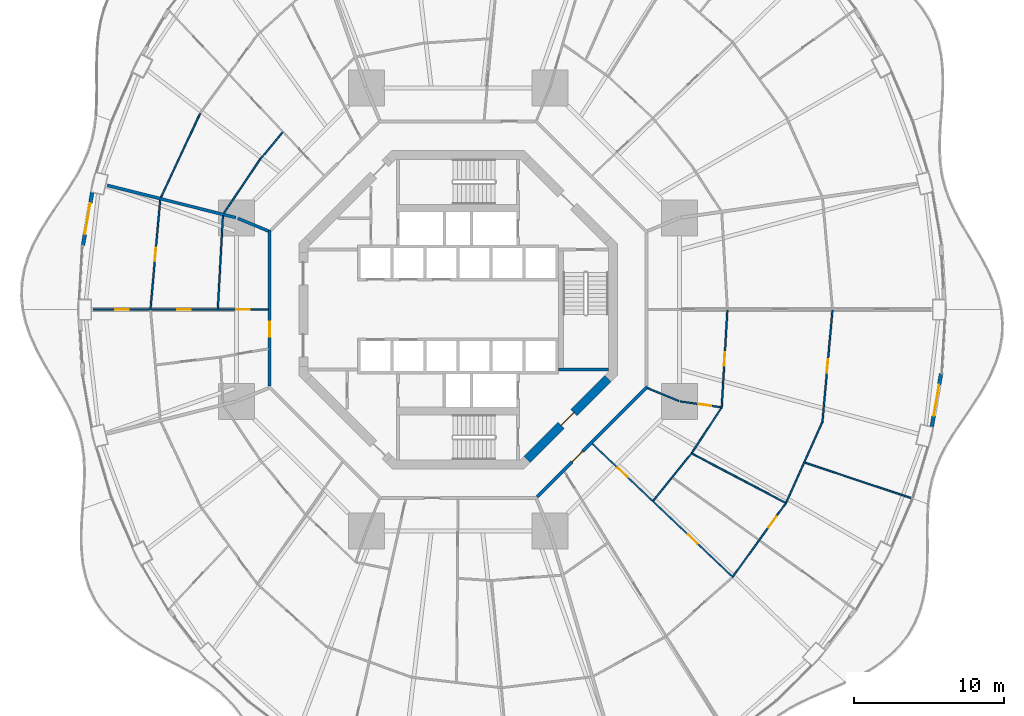
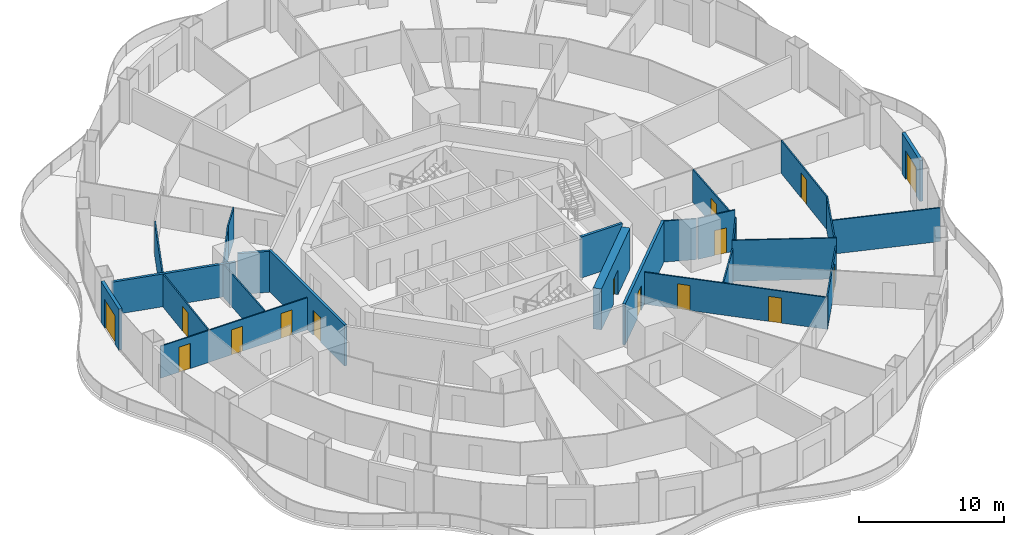
# One storey, part 16 of 23: 25 walls, 15 doors, 15 openings.
"""IFC4 building model written with IfcOpenShell, lengths in metres."""

from ifc_helpers import new_model, si_unit, direction, frame, frame_2d, origin, place, context, subcontext, project, spatial, polyline, rectangle, outline, extrude, material, layer, layer_set, type_object, element, fill, save


model = new_model("IFC4")

# Units and contexts
model_context = context("Model", 3, precision=1e-05, world=origin(), true_north=direction((0.0, 1.0)))
body_context = subcontext(model_context, "Body", "Model", "MODEL_VIEW")
ifc_project = project(units=[si_unit("LENGTHUNIT", "METRE"), si_unit("AREAUNIT", "SQUARE_METRE"), si_unit("VOLUMEUNIT", "CUBIC_METRE"), si_unit("PLANEANGLEUNIT", "RADIAN"), si_unit("MASSUNIT", "GRAM", prefix="KILO")], contexts=[model_context])

# Site, building, storey
site_placement = place(None, origin())
site = spatial("IfcSite", under=ifc_project, at=site_placement, CompositionType="ELEMENT")
building_placement = place(site_placement, origin())
building = spatial("IfcBuilding", under=site, at=building_placement, Name="Nagisa Residences", CompositionType="ELEMENT")
storey_placement = place(building_placement, frame((0.0, 0.0, 56.60009765625)))
storey = spatial("IfcBuildingStorey", under=building, at=storey_placement, Name="L13", CompositionType="ELEMENT", Elevation=56.60009765625)

# Walls
ifc_material_1 = material(Name="Gypsum board on steel studs", Category="steel")
ifc_layer_1 = layer(ifc_material_1, 0.199951171875)
ifc_layer_set_1 = layer_set([ifc_layer_1], Name="Apartment compartment wall EI60 200")
wall_type_1 = type_object("IfcWallType", Name="Apartment compartment wall EI60 200", PredefinedType="PARTITIONING", material=ifc_layer_set_1)
wall_1_placement = place(storey_placement, frame((-12.6572265625, 5.24267578125, 0.0), z_axis=(0.0, 0.0, 1.0), x_axis=(-0.923885664896, 0.382668627144, 0.0)))
element("IfcWall", 1, at=wall_1_placement, inside=storey, type_object=wall_type_1, Name="wall:L13:u04", PredefinedType="PARTITIONING", context=body_context, shape_type="SweptSolid", body=[
    extrude(rectangle(XDim=2.200439453125, YDim=0.199951171875, at=frame_2d((1.10009765625, 0.0))), origin(), (0.0, 0.0, 1.0), 3.43994140625),
])
wall_2_placement = place(storey_placement, frame((-14.83056640625, 6.135009765625, 0.0), z_axis=(0.0, 0.0, 1.0), x_axis=(-0.969884949569, 0.243563512454, 0.0)))
element("IfcWall", 2, at=wall_2_placement, inside=storey, type_object=wall_type_1, Name="wall:L13:u05", PredefinedType="PARTITIONING", context=body_context, shape_type="SweptSolid", body=[
    extrude(rectangle(XDim=8.828857421875, YDim=0.199951171875, at=frame_2d((4.41455078125, 0.0))), origin(), (0.0, 0.0, 1.0), 2.755859375),
])

# Wall, opening, door
ifc_material_2 = material(Name="Gypsum board on steel studs", Category="steel")
ifc_layer_2 = layer(ifc_material_2, 0.199951171875)
ifc_layer_set_2 = layer_set([ifc_layer_2], Name="Apartment entry wall EI60 200")
wall_type_2 = type_object("IfcWallType", Name="Apartment entry wall EI60 200", PredefinedType="PARTITIONING", material=ifc_layer_set_2)
wall_3_placement = place(storey_placement, frame((-12.564697265625, 5.304443359375, 0.0), z_axis=(0.0, 0.0, 1.0), x_axis=(0.0, -1.0, 0.0)))
wall_3 = element("IfcWall", 3, at=wall_3_placement, inside=storey, type_object=wall_type_2, Name="wall:L13:u14", PredefinedType="PARTITIONING", context=body_context, shape_type="SweptSolid", body=[
    extrude(rectangle(XDim=10.408935546875, YDim=0.199951171875, at=frame_2d((5.20458984375, 0.0))), origin(), (0.0, 0.0, 1.0), 3.43994140625),
])
opening_1_placement = place(wall_3_placement, frame((6.105712890625, 0.0, 0.0)))
opening_1 = element("IfcOpeningElement", 4, at=opening_1_placement, cuts=wall_3, Name="Opening L13-U08", PredefinedType="OPENING", context=body_context, shape_type="SweptSolid", body=[
    extrude(rectangle(XDim=1.0, YDim=2.10009765625, at=frame_2d((0.5, 1.050048828125))), frame((0.0, 0.10986328125, 0.0), z_axis=(0.0, -1.0, 0.0), x_axis=(1.0, 0.0, 0.0)), (0.0, 0.0, 1.0), 0.219970703125),
])
ifc_material_3 = material(Name="Timber fire door set", Category="wood")
door_type_1 = type_object("IfcDoorType", Name="Apartment entry door FD30S 1000x2100", OperationType="NOTDEFINED", PredefinedType="DOOR", material=ifc_material_3)
door_1_placement = place(opening_1_placement, frame((1.0, 0.0, 0.0), x_axis=(-1.0, 0.0, 0.0)))
door_1 = element("IfcDoor", 5, at=door_1_placement, inside=storey, type_object=door_type_1, Name="Entry door, Apartment 13B", OperationType="SINGLE_SWING_LEFT", OverallHeight=2.10009765625, OverallWidth=1.0, PredefinedType="DOOR", context=body_context, shape_type="SweptSolid", body=[
    extrude(rectangle(XDim=1.0, YDim=2.10009765625, at=frame_2d((0.5, 1.050048828125))), frame((0.0, 0.02490234375, 0.0), z_axis=(0.0, -1.0, 0.0), x_axis=(1.0, 0.0, 0.0)), (0.0, 0.0, 1.0), 0.050048828125),
])
fill(opening_1, door_1)

wall_4_placement = place(storey_placement, frame((5.275146484375, -12.494140625, 0.0), z_axis=(0.0, 0.0, 1.0), x_axis=(0.707106781187, 0.707106781187, 0.0)))
wall_4 = element("IfcWall", 6, at=wall_4_placement, inside=storey, type_object=wall_type_2, Name="wall:L13:u17", PredefinedType="PARTITIONING", context=body_context, shape_type="SweptSolid", body=[
    extrude(rectangle(XDim=10.4091796875, YDim=0.199951171875, at=frame_2d((5.20458984375, 0.0))), origin(), (0.0, 0.0, 1.0), 3.43994140625),
])
opening_2_placement = place(wall_4_placement, frame((3.303466796875, 0.0, 0.0)))
opening_2 = element("IfcOpeningElement", 7, at=opening_2_placement, cuts=wall_4, Name="Opening L13-U28", PredefinedType="OPENING", context=body_context, shape_type="SweptSolid", body=[
    extrude(rectangle(XDim=1.0, YDim=2.10009765625, at=frame_2d((0.5, 1.050048828125))), frame((0.0, 0.10986328125, 0.0), z_axis=(0.0, -1.0, 0.0), x_axis=(1.0, 0.0, 0.0)), (0.0, 0.0, 1.0), 0.219970703125),
])
door_2_placement = place(opening_2_placement, frame((1.0, 0.0, 0.0), x_axis=(-1.0, 0.0, 0.0)))
door_2 = element("IfcDoor", 8, at=door_2_placement, inside=storey, type_object=door_type_1, Name="Entry door, Apartment 13D", OperationType="SINGLE_SWING_LEFT", OverallHeight=2.10009765625, OverallWidth=1.0, PredefinedType="DOOR", context=body_context, shape_type="SweptSolid", body=[
    extrude(rectangle(XDim=1.0, YDim=2.10009765625, at=frame_2d((0.5, 1.050048828125))), frame((0.0, 0.02490234375, 0.0), z_axis=(0.0, -1.0, 0.0), x_axis=(1.0, 0.0, 0.0)), (0.0, 0.0, 1.0), 0.050048828125),
])
fill(opening_2, door_2)

ifc_material_4 = material(Name="Gypsum board on steel studs", Category="steel")
ifc_layer_3 = layer(ifc_material_4, 0.10009765625)
ifc_layer_set_3 = layer_set([ifc_layer_3], Name="Apartment partition 100")
wall_type_3 = type_object("IfcWallType", Name="Apartment partition 100", PredefinedType="PARTITIONING", material=ifc_layer_set_3)
wall_5_placement = place(storey_placement, frame((17.971435546875, -0.0498046875, 0.0), z_axis=(0.0, 0.0, 1.0), x_axis=(-0.058476853647, -0.998288764631, 0.0)))
wall_5 = element("IfcWall", 9, at=wall_5_placement, inside=storey, type_object=wall_type_3, Name="wall:L13:u20", PredefinedType="PARTITIONING", context=body_context, shape_type="SweptSolid", body=[
    extrude(rectangle(XDim=6.5380859375, YDim=0.10009765625, at=frame_2d((3.26904296875, 0.0))), origin(), (0.0, 0.0, 1.0), 2.755859375),
])
opening_3_placement = place(wall_5_placement, frame((2.7939453125, 0.0, 0.0)))
opening_3 = element("IfcOpeningElement", 10, at=opening_3_placement, cuts=wall_5, Name="Opening L13-U35", PredefinedType="OPENING", context=body_context, shape_type="SweptSolid", body=[
    extrude(rectangle(XDim=0.89990234375, YDim=2.10009765625, at=frame_2d((0.449951171875, 1.050048828125))), frame((0.0, 0.06005859375, 0.0), z_axis=(0.0, -1.0, 0.0), x_axis=(1.0, 0.0, 0.0)), (0.0, 0.0, 1.0), 0.1201171875),
])
ifc_material_5 = material(Name="Timber door set", Category="wood")
door_type_2 = type_object("IfcDoorType", Name="Apartment door 900x2100", OperationType="NOTDEFINED", PredefinedType="DOOR", material=ifc_material_5)
door_3_placement = place(opening_3_placement, origin())
door_3 = element("IfcDoor", 11, at=door_3_placement, inside=storey, type_object=door_type_2, Name="Door to dining room, Apartment 13D", OperationType="SINGLE_SWING_LEFT", OverallHeight=2.10009765625, OverallWidth=0.89990234375, PredefinedType="DOOR", context=body_context, shape_type="SweptSolid", body=[
    extrude(rectangle(XDim=0.89990234375, YDim=2.10009765625, at=frame_2d((0.449951171875, 1.050048828125))), frame((0.0, 0.02490234375, 0.0), z_axis=(0.0, -1.0, 0.0), x_axis=(1.0, 0.0, 0.0)), (0.0, 0.0, 1.0), 0.050048828125),
])
fill(opening_3, door_3)

wall_6_placement = place(storey_placement, frame((24.982177734375, -0.0498046875, 0.0), z_axis=(0.0, 0.0, 1.0), x_axis=(-0.089444214321, -0.995991833563, 0.0)))
wall_6 = element("IfcWall", 12, at=wall_6_placement, inside=storey, type_object=wall_type_3, Name="wall:L13:u22", PredefinedType="PARTITIONING", context=body_context, shape_type="SweptSolid", body=[
    extrude(rectangle(XDim=7.522705078125, YDim=0.10009765625, at=frame_2d((3.76123046875, 0.0))), origin(), (0.0, 0.0, 1.0), 2.755859375),
])
opening_4_placement = place(wall_6_placement, frame((3.286376953125, 0.0, 0.0)))
opening_4 = element("IfcOpeningElement", 13, at=opening_4_placement, cuts=wall_6, Name="Opening L13-U40", PredefinedType="OPENING", context=body_context, shape_type="SweptSolid", body=[
    extrude(rectangle(XDim=0.89990234375, YDim=2.10009765625, at=frame_2d((0.449951171875, 1.050048828125))), frame((0.0, 0.06005859375, 0.0), z_axis=(0.0, -1.0, 0.0), x_axis=(1.0, 0.0, 0.0)), (0.0, 0.0, 1.0), 0.1201171875),
])
door_4_placement = place(opening_4_placement, origin())
door_4 = element("IfcDoor", 14, at=door_4_placement, inside=storey, type_object=door_type_2, Name="Door to living room, Apartment 13D", OperationType="SINGLE_SWING_RIGHT", OverallHeight=2.10009765625, OverallWidth=0.89990234375, PredefinedType="DOOR", context=body_context, shape_type="SweptSolid", body=[
    extrude(rectangle(XDim=0.89990234375, YDim=2.10009765625, at=frame_2d((0.449951171875, 1.050048828125))), frame((0.0, 0.02490234375, 0.0), z_axis=(0.0, -1.0, 0.0), x_axis=(1.0, 0.0, 0.0)), (0.0, 0.0, 1.0), 0.050048828125),
])
fill(opening_4, door_4)

# Walls
wall_7_placement = place(storey_placement, frame((-11.70458984375, 11.824951171875, 0.0), z_axis=(0.0, 0.0, 1.0), x_axis=(-0.640861724905, -0.767656335577, 0.0)))
element("IfcWall", 15, at=wall_7_placement, inside=storey, type_object=wall_type_3, Name="wall:L13:u50", PredefinedType="PARTITIONING", context=body_context, shape_type="SweptSolid", body=[
    extrude(rectangle(XDim=2.268310546875, YDim=0.10009765625, at=frame_2d((1.13427734375, 0.0))), origin(), (0.0, 0.0, 1.0), 2.755859375),
])
wall_8_placement = place(storey_placement, frame((-13.162353515625, 10.086669921875, 0.0), z_axis=(0.0, 0.0, 1.0), x_axis=(-0.55912750241, -0.829081682375, 0.0)))
element("IfcWall", 16, at=wall_8_placement, inside=storey, type_object=wall_type_3, Name="wall:L13:u51", PredefinedType="PARTITIONING", context=body_context, shape_type="SweptSolid", body=[
    extrude(rectangle(XDim=4.407958984375, YDim=0.10009765625, at=frame_2d((2.2041015625, 0.0))), origin(), (0.0, 0.0, 1.0), 2.755859375),
])
wall_9_placement = place(storey_placement, frame((-17.20263671875, 13.0947265625, 0.0), z_axis=(0.0, 0.0, 1.0), x_axis=(-0.423926333401, -0.905696673202, 0.0)))
element("IfcWall", 17, at=wall_9_placement, inside=storey, type_object=wall_type_3, Name="wall:L13:u52", PredefinedType="PARTITIONING", context=body_context, shape_type="SweptSolid", body=[
    extrude(rectangle(XDim=6.1875, YDim=0.10009765625, at=frame_2d((3.09375, 0.0))), origin(), (0.0, 0.0, 1.0), 2.755859375),
])
wall_10_placement = place(storey_placement, frame((-15.688232421875, 6.249267578125, 0.0), z_axis=(0.0, 0.0, 1.0), x_axis=(-0.054659814056, -0.998505034903, 0.0)))
element("IfcWall", 18, at=wall_10_placement, inside=storey, type_object=wall_type_3, Name="wall:L13:u53", PredefinedType="PARTITIONING", context=body_context, shape_type="SweptSolid", body=[
    extrude(rectangle(XDim=6.20849609375, YDim=0.10009765625, at=frame_2d((3.104248046875, 0.0))), origin(), (0.0, 0.0, 1.0), 2.755859375),
])

# Wall, opening, door
wall_11_placement = place(storey_placement, frame((-19.876708984375, 7.300537109375, 0.0), z_axis=(0.0, 0.0, 1.0), x_axis=(-0.088143415068, -0.996107794558, 0.0)))
wall_11 = element("IfcWall", 19, at=wall_11_placement, inside=storey, type_object=wall_type_3, Name="wall:L13:u54", PredefinedType="PARTITIONING", context=body_context, shape_type="SweptSolid", body=[
    extrude(rectangle(XDim=7.279052734375, YDim=0.10009765625, at=frame_2d((3.6396484375, 0.0))), origin(), (0.0, 0.0, 1.0), 2.755859375),
])
opening_5_placement = place(wall_11_placement, frame((3.189453125, 0.0, 0.0)))
opening_5 = element("IfcOpeningElement", 20, at=opening_5_placement, cuts=wall_11, Name="Opening L13-U13", PredefinedType="OPENING", context=body_context, shape_type="SweptSolid", body=[
    extrude(rectangle(XDim=0.89990234375, YDim=2.10009765625, at=frame_2d((0.449951171875, 1.050048828125))), frame((0.0, 0.06005859375, 0.0), z_axis=(0.0, -1.0, 0.0), x_axis=(1.0, 0.0, 0.0)), (0.0, 0.0, 1.0), 0.1201171875),
])
door_5_placement = place(opening_5_placement, frame((0.89990234375, 0.0, 0.0), x_axis=(-1.0, 0.0, 0.0)))
door_5 = element("IfcDoor", 21, at=door_5_placement, inside=storey, type_object=door_type_2, Name="Door to family room, Apartment 13B", OperationType="SINGLE_SWING_RIGHT", OverallHeight=2.10009765625, OverallWidth=0.89990234375, PredefinedType="DOOR", context=body_context, shape_type="SweptSolid", body=[
    extrude(rectangle(XDim=0.89990234375, YDim=2.10009765625, at=frame_2d((0.449951171875, 1.050048828125))), frame((0.0, 0.02490234375, 0.0), z_axis=(0.0, -1.0, 0.0), x_axis=(1.0, 0.0, 0.0)), (0.0, 0.0, 1.0), 0.050048828125),
])
fill(opening_5, door_5)

# Wall, openings, doors
wall_12_placement = place(storey_placement, frame((-12.664794921875, 0.0, 0.0), z_axis=(0.0, 0.0, 1.0), x_axis=(-1.0, 0.0, 0.0)))
wall_12 = element("IfcWall", 22, at=wall_12_placement, inside=storey, type_object=wall_type_3, Name="wall:L13:u55", PredefinedType="PARTITIONING", context=body_context, shape_type="SweptSolid", body=[
    extrude(rectangle(XDim=11.685302734375, YDim=0.10009765625, at=frame_2d((5.8427734375, 0.0))), origin(), (0.0, 0.0, 1.0), 2.68701171875),
])
opening_6_placement = place(wall_12_placement, frame((1.23291015625, 0.0, 0.0)))
opening_6 = element("IfcOpeningElement", 23, at=opening_6_placement, cuts=wall_12, Name="Opening L13-U09", PredefinedType="OPENING", context=body_context, shape_type="SweptSolid", body=[
    extrude(rectangle(XDim=0.89990234375, YDim=2.10009765625, at=frame_2d((0.449951171875, 1.050048828125))), frame((0.0, 0.06005859375, 0.0), z_axis=(0.0, -1.0, 0.0), x_axis=(1.0, 0.0, 0.0)), (0.0, 0.0, 1.0), 0.1201171875),
])
opening_7_placement = place(wall_12_placement, frame((5.16162109375, 0.0, 0.0)))
opening_7 = element("IfcOpeningElement", 24, at=opening_7_placement, cuts=wall_12, Name="Opening L13-U11", PredefinedType="OPENING", context=body_context, shape_type="SweptSolid", body=[
    extrude(rectangle(XDim=0.89990234375, YDim=2.10009765625, at=frame_2d((0.449951171875, 1.050048828125))), frame((0.0, 0.06005859375, 0.0), z_axis=(0.0, -1.0, 0.0), x_axis=(1.0, 0.0, 0.0)), (0.0, 0.0, 1.0), 0.1201171875),
])
opening_8_placement = place(wall_12_placement, frame((9.321533203125, 0.0, 0.0)))
opening_8 = element("IfcOpeningElement", 25, at=opening_8_placement, cuts=wall_12, Name="Opening L13-U14", PredefinedType="OPENING", context=body_context, shape_type="SweptSolid", body=[
    extrude(rectangle(XDim=0.89990234375, YDim=2.10009765625, at=frame_2d((0.449951171875, 1.050048828125))), frame((0.0, 0.06005859375, 0.0), z_axis=(0.0, -1.0, 0.0), x_axis=(1.0, 0.0, 0.0)), (0.0, 0.0, 1.0), 0.1201171875),
])
door_6_placement = place(opening_6_placement, frame((0.89990234375, 0.0, 0.0), x_axis=(-1.0, 0.0, 0.0)))
door_6 = element("IfcDoor", 26, at=door_6_placement, inside=storey, type_object=door_type_2, Name="Door to store, Apartment 13B", OperationType="SINGLE_SWING_RIGHT", OverallHeight=2.10009765625, OverallWidth=0.89990234375, PredefinedType="DOOR", context=body_context, shape_type="SweptSolid", body=[
    extrude(rectangle(XDim=0.89990234375, YDim=2.10009765625, at=frame_2d((0.449951171875, 1.050048828125))), frame((0.0, 0.02490234375, 0.0), z_axis=(0.0, -1.0, 0.0), x_axis=(1.0, 0.0, 0.0)), (0.0, 0.0, 1.0), 0.050048828125),
])
fill(opening_6, door_6)
door_7_placement = place(opening_7_placement, frame((0.89990234375, 0.0, 0.0), x_axis=(-1.0, 0.0, 0.0)))
door_7 = element("IfcDoor", 27, at=door_7_placement, inside=storey, type_object=door_type_2, Name="Door to kitchen, Apartment 13B", OperationType="SINGLE_SWING_RIGHT", OverallHeight=2.10009765625, OverallWidth=0.89990234375, PredefinedType="DOOR", context=body_context, shape_type="SweptSolid", body=[
    extrude(rectangle(XDim=0.89990234375, YDim=2.10009765625, at=frame_2d((0.449951171875, 1.050048828125))), frame((0.0, 0.02490234375, 0.0), z_axis=(0.0, -1.0, 0.0), x_axis=(1.0, 0.0, 0.0)), (0.0, 0.0, 1.0), 0.050048828125),
])
fill(opening_7, door_7)
door_8_placement = place(opening_8_placement, origin())
door_8 = element("IfcDoor", 28, at=door_8_placement, inside=storey, type_object=door_type_2, Name="Door to bedroom, Apartment 13B", OperationType="SINGLE_SWING_RIGHT", OverallHeight=2.10009765625, OverallWidth=0.89990234375, PredefinedType="DOOR", context=body_context, shape_type="SweptSolid", body=[
    extrude(rectangle(XDim=0.89990234375, YDim=2.10009765625, at=frame_2d((0.449951171875, 1.050048828125))), frame((0.0, 0.02490234375, 0.0), z_axis=(0.0, -1.0, 0.0), x_axis=(1.0, 0.0, 0.0)), (0.0, 0.0, 1.0), 0.050048828125),
])
fill(opening_8, door_8)

wall_13_placement = place(storey_placement, frame((8.95703125, -8.953369140625, 0.0), z_axis=(0.0, 0.0, 1.0), x_axis=(0.725250022034, -0.688485588476, 0.0)))
wall_13 = element("IfcWall", 29, at=wall_13_placement, inside=storey, type_object=wall_type_3, Name="wall:L13:u83", PredefinedType="PARTITIONING", context=body_context, shape_type="SweptSolid", body=[
    extrude(rectangle(XDim=12.962646484375, YDim=0.10009765625, at=frame_2d((6.4814453125, 0.0))), origin(), (0.0, 0.0, 1.0), 2.68701171875),
])
opening_9_placement = place(wall_13_placement, frame((2.33349609375, 0.0, 0.0)))
opening_9 = element("IfcOpeningElement", 30, at=opening_9_placement, cuts=wall_13, Name="Opening L13-U30", PredefinedType="OPENING", context=body_context, shape_type="SweptSolid", body=[
    extrude(rectangle(XDim=0.89990234375, YDim=2.10009765625, at=frame_2d((0.449951171875, 1.050048828125))), frame((0.0, 0.06005859375, 0.0), z_axis=(0.0, -1.0, 0.0), x_axis=(1.0, 0.0, 0.0)), (0.0, 0.0, 1.0), 0.1201171875),
])
opening_10_placement = place(wall_13_placement, frame((8.78955078125, 0.0, 0.0)))
opening_10 = element("IfcOpeningElement", 31, at=opening_10_placement, cuts=wall_13, Name="Opening L13-U34", PredefinedType="OPENING", context=body_context, shape_type="SweptSolid", body=[
    extrude(rectangle(XDim=0.89990234375, YDim=2.10009765625, at=frame_2d((0.449951171875, 1.050048828125))), frame((0.0, 0.06005859375, 0.0), z_axis=(0.0, -1.0, 0.0), x_axis=(1.0, 0.0, 0.0)), (0.0, 0.0, 1.0), 0.1201171875),
])
door_9_placement = place(opening_9_placement, origin())
door_9 = element("IfcDoor", 32, at=door_9_placement, inside=storey, type_object=door_type_2, Name="Door to store, Apartment 13D", OperationType="SINGLE_SWING_RIGHT", OverallHeight=2.10009765625, OverallWidth=0.89990234375, PredefinedType="DOOR", context=body_context, shape_type="SweptSolid", body=[
    extrude(rectangle(XDim=0.89990234375, YDim=2.10009765625, at=frame_2d((0.449951171875, 1.050048828125))), frame((0.0, 0.02490234375, 0.0), z_axis=(0.0, -1.0, 0.0), x_axis=(1.0, 0.0, 0.0)), (0.0, 0.0, 1.0), 0.050048828125),
])
fill(opening_9, door_9)
door_10_placement = place(opening_10_placement, origin())
door_10 = element("IfcDoor", 33, at=door_10_placement, inside=storey, type_object=door_type_2, Name="Door to family bathroom, Apartment 13D", OperationType="SINGLE_SWING_RIGHT", OverallHeight=2.10009765625, OverallWidth=0.89990234375, PredefinedType="DOOR", context=body_context, shape_type="SweptSolid", body=[
    extrude(rectangle(XDim=0.89990234375, YDim=2.10009765625, at=frame_2d((0.449951171875, 1.050048828125))), frame((0.0, 0.02490234375, 0.0), z_axis=(0.0, -1.0, 0.0), x_axis=(1.0, 0.0, 0.0)), (0.0, 0.0, 1.0), 0.050048828125),
])
fill(opening_10, door_10)

# Wall
wall_14_placement = place(storey_placement, frame((13.02587890625, -12.747314453125, 0.0), z_axis=(0.0, 0.0, 1.0), x_axis=(0.630126826288, 0.776492229705, 0.0)))
element("IfcWall", 34, at=wall_14_placement, inside=storey, type_object=wall_type_3, Name="wall:L13:u84", PredefinedType="PARTITIONING", context=body_context, shape_type="SweptSolid", body=[
    extrude(rectangle(XDim=4.006591796875, YDim=0.10009765625, at=frame_2d((2.00341796875, 0.0))), origin(), (0.0, 0.0, 1.0), 2.755859375),
])

# Wall, opening, door
wall_15_placement = place(storey_placement, frame((18.35107421875, -17.802978515625, 0.0), z_axis=(0.0, 0.0, 1.0), x_axis=(0.584563700282, 0.811347817099, 0.0)))
wall_15 = element("IfcWall", 35, at=wall_15_placement, inside=storey, type_object=wall_type_3, Name="wall:L13:u85", PredefinedType="PARTITIONING", context=body_context, shape_type="SweptSolid", body=[
    extrude(rectangle(XDim=5.984375, YDim=0.10009765625, at=frame_2d((2.9921875, 0.0))), origin(), (0.0, 0.0, 1.0), 2.755859375),
])
opening_11_placement = place(wall_15_placement, frame((4.038330078125, 0.0, 0.0)))
opening_11 = element("IfcOpeningElement", 36, at=opening_11_placement, cuts=wall_15, Name="Opening L13-U42", PredefinedType="OPENING", context=body_context, shape_type="SweptSolid", body=[
    extrude(rectangle(XDim=0.89990234375, YDim=2.10009765625, at=frame_2d((0.449951171875, 1.050048828125))), frame((0.0, 0.06005859375, 0.0), z_axis=(0.0, -1.0, 0.0), x_axis=(1.0, 0.0, 0.0)), (0.0, 0.0, 1.0), 0.1201171875),
])
door_11_placement = place(opening_11_placement, origin())
door_11 = element("IfcDoor", 37, at=door_11_placement, inside=storey, type_object=door_type_2, Name="Door to en-suite bathroom, Apartment 13D", OperationType="SINGLE_SWING_RIGHT", OverallHeight=2.10009765625, OverallWidth=0.89990234375, PredefinedType="DOOR", context=body_context, shape_type="SweptSolid", body=[
    extrude(rectangle(XDim=0.89990234375, YDim=2.10009765625, at=frame_2d((0.449951171875, 1.050048828125))), frame((0.0, 0.02490234375, 0.0), z_axis=(0.0, -1.0, 0.0), x_axis=(1.0, 0.0, 0.0)), (0.0, 0.0, 1.0), 0.050048828125),
])
fill(opening_11, door_11)

# Walls
wall_16_placement = place(storey_placement, frame((15.537841796875, -9.57421875, 0.0), z_axis=(0.0, 0.0, 1.0), x_axis=(0.88517945493, -0.465249752895, 0.0)))
element("IfcWall", 38, at=wall_16_placement, inside=storey, type_object=wall_type_3, Name="wall:L13:u87", PredefinedType="PARTITIONING", context=body_context, shape_type="SweptSolid", body=[
    extrude(rectangle(XDim=7.213134765625, YDim=0.10009765625, at=frame_2d((3.6064453125, 0.0))), origin(), (0.0, 0.0, 1.0), 3.43994140625),
])
wall_17_placement = place(storey_placement, frame((15.609375, -9.5556640625, 0.0), z_axis=(0.0, 0.0, 1.0), x_axis=(0.547641765292, 0.836712911881, 0.0)))
element("IfcWall", 39, at=wall_17_placement, inside=storey, type_object=wall_type_3, Name="wall:L13:u88", PredefinedType="PARTITIONING", context=body_context, shape_type="SweptSolid", body=[
    extrude(rectangle(XDim=3.570068359375, YDim=0.10009765625, at=frame_2d((1.78515625, 0.0))), origin(), (0.0, 0.0, 1.0), 2.755859375),
])
wall_18_placement = place(storey_placement, frame((21.89892578125, -12.861328125, 0.0), z_axis=(0.0, 0.0, 1.0), x_axis=(0.410197710154, 0.911996622025, 0.0)))
element("IfcWall", 40, at=wall_18_placement, inside=storey, type_object=wall_type_3, Name="wall:L13:u89", PredefinedType="PARTITIONING", context=body_context, shape_type="SweptSolid", body=[
    extrude(rectangle(XDim=5.8369140625, YDim=0.10009765625, at=frame_2d((2.91845703125, 0.0))), origin(), (0.0, 0.0, 1.0), 2.755859375),
])
wall_19_placement = place(storey_placement, frame((23.1435546875, -10.215576171875, 0.0), z_axis=(0.0, 0.0, 1.0), x_axis=(0.948811715359, -0.315842253027, 0.0)))
element("IfcWall", 41, at=wall_19_placement, inside=storey, type_object=wall_type_3, Name="wall:L13:u90", PredefinedType="PARTITIONING", context=body_context, shape_type="SweptSolid", body=[
    extrude(rectangle(XDim=7.599853515625, YDim=0.10009765625, at=frame_2d((3.7998046875, 0.0))), origin(), (0.0, 0.0, 1.0), 2.8369140625),
])
wall_20_placement = place(storey_placement, frame((12.6572265625, -5.24267578125, 0.0), z_axis=(0.0, 0.0, 1.0), x_axis=(0.923864733477, -0.382719158442, 0.0)))
element("IfcWall", 42, at=wall_20_placement, inside=storey, type_object=wall_type_3, Name="wall:L13:u91", PredefinedType="PARTITIONING", context=body_context, shape_type="SweptSolid", body=[
    extrude(rectangle(XDim=2.25, YDim=0.10009765625, at=frame_2d((1.125, 0.0))), origin(), (0.0, 0.0, 1.0), 3.43994140625),
])

# Wall, opening, door
wall_21_placement = place(storey_placement, frame((14.83154296875, -6.130126953125, 0.0), z_axis=(0.0, 0.0, 1.0), x_axis=(0.989840446863, -0.142182593007, 0.0)))
wall_21 = element("IfcWall", 43, at=wall_21_placement, inside=storey, type_object=wall_type_3, Name="wall:L13:u92", PredefinedType="PARTITIONING", context=body_context, shape_type="SweptSolid", body=[
    extrude(rectangle(XDim=2.73876953125, YDim=0.10009765625, at=frame_2d((1.369384765625, 0.0))), origin(), (0.0, 0.0, 1.0), 3.43994140625),
])
opening_12_placement = place(wall_21_placement, frame((1.197021484375, 0.0, 0.0)))
opening_12 = element("IfcOpeningElement", 44, at=opening_12_placement, cuts=wall_21, Name="Opening L13-U31", PredefinedType="OPENING", context=body_context, shape_type="SweptSolid", body=[
    extrude(rectangle(XDim=0.89990234375, YDim=2.10009765625, at=frame_2d((0.449951171875, 1.050048828125))), frame((0.0, 0.06005859375, 0.0), z_axis=(0.0, -1.0, 0.0), x_axis=(1.0, 0.0, 0.0)), (0.0, 0.0, 1.0), 0.1201171875),
])
door_12_placement = place(opening_12_placement, origin())
door_12 = element("IfcDoor", 45, at=door_12_placement, inside=storey, type_object=door_type_2, Name="Door to laundry, Apartment 13D", OperationType="SINGLE_SWING_LEFT", OverallHeight=2.10009765625, OverallWidth=0.89990234375, PredefinedType="DOOR", context=body_context, shape_type="SweptSolid", body=[
    extrude(rectangle(XDim=0.89990234375, YDim=2.10009765625, at=frame_2d((0.449951171875, 1.050048828125))), frame((0.0, 0.02490234375, 0.0), z_axis=(0.0, -1.0, 0.0), x_axis=(1.0, 0.0, 0.0)), (0.0, 0.0, 1.0), 0.050048828125),
])
fill(opening_12, door_12)

ifc_material_6 = material(Name="Precast concrete C40/50", Category="concrete")
ifc_layer_4 = layer(ifc_material_6, 0.25)
ifc_layer_set_4 = layer_set([ifc_layer_4], Name="BALCONY DOOR WALL 250")
wall_type_4 = type_object("IfcWallType", Name="BALCONY DOOR WALL 250", PredefinedType="SOLIDWALL", material=ifc_layer_set_4)
wall_22_placement = place(storey_placement, frame((-25.02880859375, 4.285888671875, 0.0), z_axis=(0.0, 0.0, 1.0), x_axis=(0.172217377323, 0.98505897029, 0.0)))
wall_22 = element("IfcWall", 46, at=wall_22_placement, inside=storey, type_object=wall_type_4, Name="wall:L13:bay22", PredefinedType="SOLIDWALL", context=body_context, shape_type="SweptSolid", body=[
    extrude(rectangle(XDim=3.597900390625, YDim=0.25, at=frame_2d((1.798828125, 0.0))), origin(), (0.0, 0.0, 1.0), 3.43994140625),
])
opening_13_placement = place(wall_22_placement, frame((0.7490234375, 0.0, 0.0)))
opening_13 = element("IfcOpeningElement", 47, at=opening_13_placement, cuts=wall_22, Name="Opening BD-L13-08", PredefinedType="OPENING", context=body_context, shape_type="SweptSolid", body=[
    extrude(rectangle(XDim=2.10009765625, YDim=2.39990234375, at=frame_2d((1.050048828125, 1.199951171875))), frame((0.0, 0.135009765625, 0.0), z_axis=(0.0, -1.0, 0.0), x_axis=(1.0, 0.0, 0.0)), (0.0, 0.0, 1.0), 0.27001953125),
])
ifc_material_7 = material(Name="Aluminium and clear glass", Category="aluminium")
door_type_3 = type_object("IfcDoorType", Name="BALCONY SLIDING DOOR 2100x2400", OperationType="SLIDING_TO_LEFT", PredefinedType="DOOR", material=ifc_material_7)
door_13_placement = place(opening_13_placement, origin())
door_13 = element("IfcDoor", 48, at=door_13_placement, inside=storey, type_object=door_type_3, Name="door:L13:bay22", OperationType="SLIDING_TO_LEFT", OverallHeight=2.39990234375, OverallWidth=2.10009765625, PredefinedType="DOOR", context=body_context, shape_type="SweptSolid", body=[
    extrude(rectangle(XDim=2.10009765625, YDim=2.39990234375, at=frame_2d((1.050048828125, 1.199951171875))), frame((0.0, 0.02490234375, 0.0), z_axis=(0.0, -1.0, 0.0), x_axis=(1.0, 0.0, 0.0)), (0.0, 0.0, 1.0), 0.050048828125),
])
fill(opening_13, door_13)

wall_23_placement = place(storey_placement, frame((32.228759765625, -4.285888671875, 0.0), z_axis=(0.0, 0.0, 1.0), x_axis=(-0.172217377323, -0.98505897029, 0.0)))
wall_23 = element("IfcWall", 49, at=wall_23_placement, inside=storey, type_object=wall_type_4, Name="wall:L13:bay46", PredefinedType="SOLIDWALL", context=body_context, shape_type="SweptSolid", body=[
    extrude(rectangle(XDim=3.597900390625, YDim=0.25, at=frame_2d((1.798828125, 0.0))), origin(), (0.0, 0.0, 1.0), 3.43994140625),
])
opening_14_placement = place(wall_23_placement, frame((0.7490234375, 0.0, 0.0)))
opening_14 = element("IfcOpeningElement", 50, at=opening_14_placement, cuts=wall_23, Name="Opening BD-L13-16", PredefinedType="OPENING", context=body_context, shape_type="SweptSolid", body=[
    extrude(rectangle(XDim=2.10009765625, YDim=2.39990234375, at=frame_2d((1.050048828125, 1.199951171875))), frame((0.0, 0.135009765625, 0.0), z_axis=(0.0, -1.0, 0.0), x_axis=(1.0, 0.0, 0.0)), (0.0, 0.0, 1.0), 0.27001953125),
])
door_14_placement = place(opening_14_placement, origin())
door_14 = element("IfcDoor", 51, at=door_14_placement, inside=storey, type_object=door_type_3, Name="door:L13:bay46", OperationType="SLIDING_TO_LEFT", OverallHeight=2.39990234375, OverallWidth=2.10009765625, PredefinedType="DOOR", context=body_context, shape_type="SweptSolid", body=[
    extrude(rectangle(XDim=2.10009765625, YDim=2.39990234375, at=frame_2d((1.050048828125, 1.199951171875))), frame((0.0, 0.02490234375, 0.0), z_axis=(0.0, -1.0, 0.0), x_axis=(1.0, 0.0, 0.0)), (0.0, 0.0, 1.0), 0.050048828125),
])
fill(opening_14, door_14)

ifc_material_8 = material(Name="Concrete C60", Category="concrete")
ifc_layer_5 = layer(ifc_material_8, 0.60009765625)
ifc_layer_set_5 = layer_set([ifc_layer_5], Name="Core shear wall 600")
wall_type_5 = type_object("IfcWallType", Name="Core shear wall 600", PredefinedType="SHEAR", material=ifc_layer_set_5)
wall_24_placement = place(storey_placement, frame((4.613037109375, -9.98828125, 0.0), z_axis=(0.0, 0.0, 1.0), x_axis=(0.707106781187, 0.707106781187, 0.0)))
wall_24 = element("IfcWall", 52, at=wall_24_placement, inside=storey, type_object=wall_type_5, Name="wall:L13:core:flat7", PredefinedType="SHEAR", context=body_context, shape_type="SweptSolid", body=[
    extrude(rectangle(XDim=7.601806640625, YDim=0.60009765625, at=frame_2d((3.80078125, 0.0))), origin(), (0.0, 0.0, 1.0), 3.43994140625),
])
opening_15_placement = place(wall_24_placement, frame((3.200927734375, 0.0, 0.0)))
opening_15 = element("IfcOpeningElement", 53, at=opening_15_placement, cuts=wall_24, Name="Opening L13-C17", PredefinedType="OPENING", context=body_context, shape_type="SweptSolid", body=[
    extrude(rectangle(XDim=1.199951171875, YDim=2.10009765625, at=frame_2d((0.60009765625, 1.050048828125))), frame((0.0, 0.31005859375, 0.0), z_axis=(0.0, -1.0, 0.0), x_axis=(1.0, 0.0, 0.0)), (0.0, 0.0, 1.0), 0.6201171875),
])
ifc_material_9 = material(Name="Steel fire door", Category="steel")
door_type_4 = type_object("IfcDoorType", Name="Fire door EI60 1200x2100 single swing", OperationType="NOTDEFINED", PredefinedType="DOOR", material=ifc_material_9)
door_15_placement = place(opening_15_placement, origin())
door_15 = element("IfcDoor", 54, at=door_15_placement, inside=storey, type_object=door_type_4, Name="Firefighting lobby 2 door L13", OperationType="SINGLE_SWING_LEFT", OverallHeight=2.10009765625, OverallWidth=1.199951171875, PredefinedType="DOOR", context=body_context, shape_type="SweptSolid", body=[
    extrude(rectangle(XDim=1.199951171875, YDim=2.10009765625, at=frame_2d((0.60009765625, 1.050048828125))), frame((0.0, 0.02490234375, 0.0), z_axis=(0.0, -1.0, 0.0), x_axis=(1.0, 0.0, 0.0)), (0.0, 0.0, 1.0), 0.050048828125),
])
fill(opening_15, door_15)

# Wall
ifc_material_10 = material(Name="Concrete C60", Category="concrete")
ifc_layer_6 = layer(ifc_material_10, 0.199951171875)
ifc_layer_set_6 = layer_set([ifc_layer_6], Name="Stair enclosure wall 200")
wall_type_6 = type_object("IfcWallType", Name="Stair enclosure wall 200", PredefinedType="SOLIDWALL", material=ifc_layer_set_6)
wall_25_placement = place(storey_placement, origin())
element("IfcWall", 55, at=wall_25_placement, inside=storey, type_object=wall_type_6, Name="wall:L13:SE_s", PredefinedType="SOLIDWALL", context=body_context, shape_type="SweptSolid", body=[
    extrude(outline(polyline([(10.024658203125, -4.10009765625), (6.699951171875, -4.10009765625), (6.699951171875, -3.89990234375), (10.024658203125, -3.89990234375), (10.024658203125, -4.10009765625)])), origin(), (0.0, 0.0, 1.0), 3.43994140625),
])

save(model, "model.ifc")
